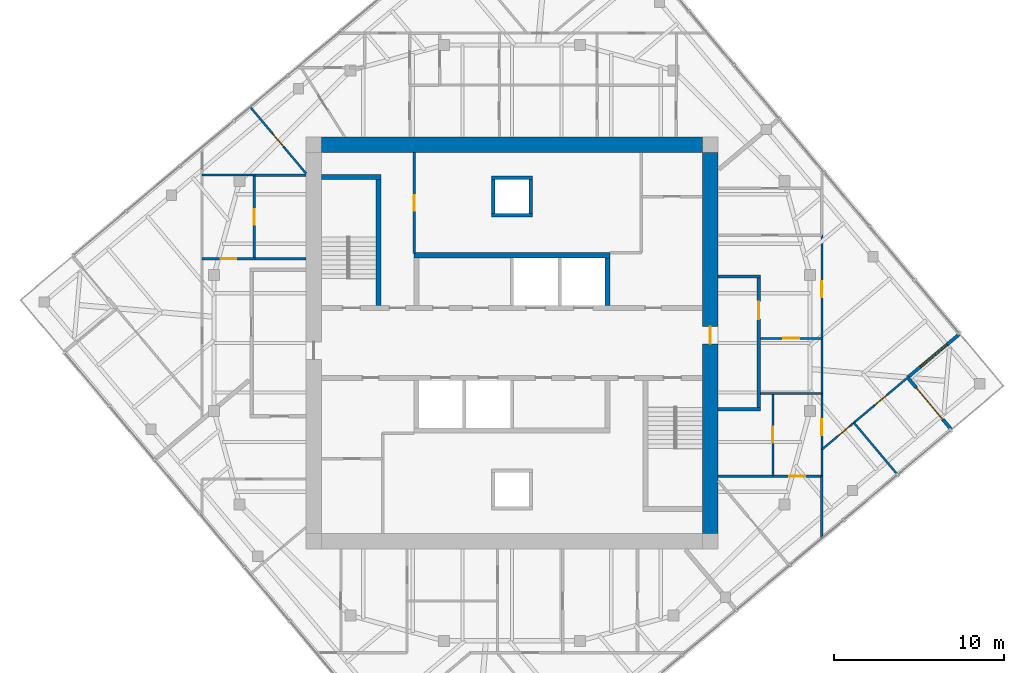
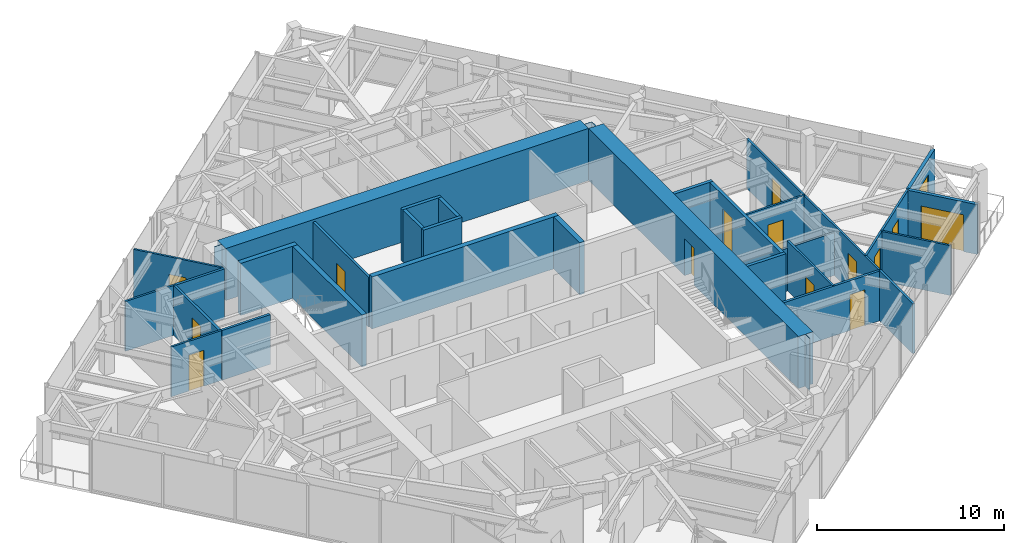
# One storey, part 9 of 12: 30 walls, 14 doors, 1 window, 15 openings.
"""IFC4 building model written with IfcOpenShell, lengths in metres."""

from ifc_helpers import new_model, si_unit, direction, frame, frame_2d, origin, place, context, subcontext, project, spatial, polyline, rectangle, outline, extrude, material, layer, layer_set, type_object, element, fill, save


model = new_model("IFC4")

# Units and contexts
model_context = context("Model", 3, precision=1e-05, world=origin(), true_north=direction((0.0, 1.0)))
body_context = subcontext(model_context, "Body", "Model", "MODEL_VIEW")
ifc_project = project(units=[si_unit("LENGTHUNIT", "METRE"), si_unit("AREAUNIT", "SQUARE_METRE"), si_unit("VOLUMEUNIT", "CUBIC_METRE"), si_unit("PLANEANGLEUNIT", "RADIAN"), si_unit("MASSUNIT", "GRAM", prefix="KILO")], contexts=[model_context])

# Site, building, storey
site_placement = place(None, origin())
site = spatial("IfcSite", under=ifc_project, at=site_placement, CompositionType="ELEMENT")
building_placement = place(site_placement, origin())
building = spatial("IfcBuilding", under=site, at=building_placement, Name="Torsade Residences", CompositionType="ELEMENT")
storey_placement = place(building_placement, frame((0.0, 0.0, 293.0)))
storey = spatial("IfcBuildingStorey", under=building, at=storey_placement, Name="L81", CompositionType="ELEMENT", Elevation=293.0)

# Walls
ifc_material_1 = material(Name="Concrete 80 MPa", Category="concrete")
ifc_layer_1 = layer(ifc_material_1, 0.300048828125)
ifc_layer_set_1 = layer_set([ifc_layer_1], Name="Concrete 80 MPa")
wall_type_1 = type_object("IfcWallType", Name="CORE INTERNAL WALL 300", PredefinedType="SHEAR", material=ifc_layer_set_1)
wall_1_placement = place(storey_placement, frame((34.25, 35.14990234375, 0.0), z_axis=(0.0, 0.0, 1.0), x_axis=(1.0, 0.0, 0.0)))
element("IfcWall", 1, at=wall_1_placement, inside=storey, type_object=wall_type_1, Name="Core wall BN L81", PredefinedType="SHEAR", context=body_context, shape_type="SweptSolid", body=[
    extrude(rectangle(XDim=11.5, YDim=0.300048828125, at=frame_2d((5.75, 0.0))), origin(), (0.0, 0.0, 1.0), 3.39990234375),
])
wall_2_placement = place(storey_placement, frame((45.60009765625, 32.199951171875, 0.0), z_axis=(0.0, 0.0, 1.0), x_axis=(0.0, 1.0, 0.0)))
element("IfcWall", 2, at=wall_2_placement, inside=storey, type_object=wall_type_1, Name="Core wall DN4 L81", PredefinedType="SHEAR", context=body_context, shape_type="SweptSolid", body=[
    extrude(rectangle(XDim=2.800048828125, YDim=0.300048828125, at=frame_2d((1.39990234375, 0.0))), origin(), (0.0, 0.0, 1.0), 3.39990234375),
])
wall_3_placement = place(storey_placement, frame((32.14990234375, 32.199951171875, 0.0), z_axis=(0.0, 0.0, 1.0), x_axis=(0.0, 1.0, 0.0)))
element("IfcWall", 3, at=wall_3_placement, inside=storey, type_object=wall_type_1, Name="Core wall ST1E L81", PredefinedType="SHEAR", context=body_context, shape_type="SweptSolid", body=[
    extrude(rectangle(XDim=7.699951171875, YDim=0.300048828125, at=frame_2d((3.85009765625, 0.0))), origin(), (0.0, 0.0, 1.0), 3.39990234375),
])
wall_4_placement = place(storey_placement, frame((28.800048828125, 39.75, 0.0), z_axis=(0.0, 0.0, 1.0), x_axis=(1.0, 0.0, 0.0)))
element("IfcWall", 4, at=wall_4_placement, inside=storey, type_object=wall_type_1, Name="Core wall ST1N L81", PredefinedType="SHEAR", context=body_context, shape_type="SweptSolid", body=[
    extrude(rectangle(XDim=3.5, YDim=0.300048828125, at=frame_2d((1.75, 0.0))), origin(), (0.0, 0.0, 1.0), 3.39990234375),
])
ifc_material_2 = material(Name="Concrete 80 MPa", Category="concrete")
ifc_layer_2 = layer(ifc_material_2, 0.89990234375)
ifc_layer_set_2 = layer_set([ifc_layer_2], Name="Concrete 80 MPa")
wall_type_2 = type_object("IfcWallType", Name="CORE WALL 900", PredefinedType="SHEAR", material=ifc_layer_set_2)
wall_5_placement = place(storey_placement, frame((28.800048828125, 41.64990234375, 0.0), z_axis=(0.0, 0.0, 1.0), x_axis=(1.0, 0.0, 0.0)))
element("IfcWall", 5, at=wall_5_placement, inside=storey, type_object=wall_type_2, Name="Core wall N L81", PredefinedType="SHEAR", context=body_context, shape_type="SweptSolid", body=[
    extrude(outline(polyline([(0.0, -0.449951171875), (22.39990234375, -0.449951171875), (22.39990234375, -0.02490234375), (22.849853515625, -0.02490234375), (22.849853515625, 0.02490234375), (22.39990234375, 0.02490234375), (22.39990234375, 0.449951171875), (0.0, 0.449951171875), (0.0, 0.02490234375), (-0.449951171875, 0.02490234375), (-0.449951171875, -0.02490234375), (0.0, -0.02490234375), (0.0, -0.449951171875)])), origin(), (0.0, 0.0, 1.0), 3.39990234375),
])

# Wall, opening, door
wall_6_placement = place(storey_placement, frame((51.64990234375, 18.800048828125, 0.0), z_axis=(0.0, 0.0, 1.0), x_axis=(0.0, 1.0, 0.0)))
wall_6 = element("IfcWall", 6, at=wall_6_placement, inside=storey, type_object=wall_type_2, Name="Core wall E L81", PredefinedType="SHEAR", context=body_context, shape_type="SweptSolid", body=[
    extrude(outline(polyline([(0.0, -0.449951171875), (22.39990234375, -0.449951171875), (22.39990234375, -0.02490234375), (22.849853515625, -0.02490234375), (22.849853515625, 0.02490234375), (22.39990234375, 0.02490234375), (22.39990234375, 0.449951171875), (0.0, 0.449951171875), (0.0, 0.02490234375), (-0.449951171875, 0.02490234375), (-0.449951171875, -0.02490234375), (0.0, -0.02490234375), (0.0, -0.449951171875)])), origin(), (0.0, 0.0, 1.0), 3.39990234375),
])
opening_1_placement = place(wall_6_placement, frame((11.139892578125, 0.0, 0.0)))
opening_1 = element("IfcOpeningElement", 7, at=opening_1_placement, cuts=wall_6, Name="Opening D04", PredefinedType="OPENING", context=body_context, shape_type="SweptSolid", body=[
    extrude(rectangle(XDim=1.02001953125, YDim=2.39990234375, at=frame_2d((0.510009765625, 1.199951171875))), frame((0.0, 0.4599609375, 0.0), z_axis=(0.0, -1.0, 0.0), x_axis=(1.0, 0.0, 0.0)), (0.0, 0.0, 1.0), 0.919921875),
])
ifc_material_3 = material(Name="Steel-framed fire door", Category="steel")
door_type_1 = type_object("IfcDoorType", Name="LOBBY SMOKE DOOR 1020x2400", OperationType="NOTDEFINED", PredefinedType="DOOR", material=ifc_material_3)
door_1_placement = place(opening_1_placement, origin())
door_1 = element("IfcDoor", 8, at=door_1_placement, inside=storey, type_object=door_type_1, Name="Lift lobby door E L81", OperationType="SINGLE_SWING_LEFT", OverallHeight=2.39990234375, OverallWidth=1.02001953125, PredefinedType="DOOR", context=body_context, shape_type="SweptSolid", body=[
    extrude(rectangle(XDim=1.02001953125, YDim=2.39990234375, at=frame_2d((0.510009765625, 1.199951171875))), frame((0.0, 0.02490234375, 0.0), z_axis=(0.0, -1.0, 0.0), x_axis=(1.0, 0.0, 0.0)), (0.0, 0.0, 1.0), 0.050048828125),
])
fill(opening_1, door_1)

ifc_material_4 = material(Name="Plasterboard on steel stud", Category="steel")
ifc_layer_3 = layer(ifc_material_4, 0.199951171875)
ifc_layer_set_3 = layer_set([ifc_layer_3], Name="Plasterboard on steel stud")
wall_type_3 = type_object("IfcWallType", Name="CORRIDOR WALL 200", PredefinedType="PARTITIONING", material=ifc_layer_set_3)
wall_7_placement = place(storey_placement, frame((54.5, 26.10009765625, 0.0), z_axis=(0.0, 0.0, 1.0), x_axis=(0.0, 1.0, 0.0)))
wall_7 = element("IfcWall", 9, at=wall_7_placement, inside=storey, type_object=wall_type_3, Name="Corridor wall L81", PredefinedType="PARTITIONING", context=body_context, shape_type="SweptSolid", body=[
    extrude(rectangle(XDim=7.7998046875, YDim=0.199951171875, at=frame_2d((3.89990234375, 0.0))), origin(), (0.0, 0.0, 1.0), 3.25),
])
opening_2_placement = place(wall_7_placement, frame((5.3017578125, 0.0, 0.0)))
opening_2 = element("IfcOpeningElement", 10, at=opening_2_placement, cuts=wall_7, Name="Opening D01", PredefinedType="OPENING", context=body_context, shape_type="SweptSolid", body=[
    extrude(rectangle(XDim=1.02001953125, YDim=2.340087890625, at=frame_2d((0.510009765625, 1.169921875))), frame((0.0, 0.10986328125, 0.0), z_axis=(0.0, -1.0, 0.0), x_axis=(1.0, 0.0, 0.0)), (0.0, 0.0, 1.0), 0.219970703125),
])
ifc_material_5 = material(Name="Solid-core timber fire door", Category="wood")
door_type_2 = type_object("IfcDoorType", Name="APARTMENT ENTRY DOOR 1020x2340", OperationType="NOTDEFINED", PredefinedType="DOOR", material=ifc_material_5)
door_2_placement = place(opening_2_placement, origin())
door_2 = element("IfcDoor", 11, at=door_2_placement, inside=storey, type_object=door_type_2, Name="Door Residential corridor to Kitchen and dining", OperationType="SINGLE_SWING_RIGHT", OverallHeight=2.340087890625, OverallWidth=1.02001953125, PredefinedType="DOOR", context=body_context, shape_type="SweptSolid", body=[
    extrude(rectangle(XDim=1.02001953125, YDim=2.340087890625, at=frame_2d((0.510009765625, 1.169921875))), frame((0.0, 0.02490234375, 0.0), z_axis=(0.0, -1.0, 0.0), x_axis=(1.0, 0.0, 0.0)), (0.0, 0.0, 1.0), 0.050048828125),
])
fill(opening_2, door_2)

# Walls
for number, where, z_axis, x_axis, name in (
    (12, (52.10009765625, 33.89990234375, 0.0), (0.0, 0.0, 1.0), (1.0, 0.0, 0.0), "Corridor wall L81"),
    (13, (52.10009765625, 26.10009765625, 0.0), (0.0, 0.0, 1.0), (1.0, 0.0, 0.0), "Corridor wall L81"),
):
    element("IfcWall", number, at=place(storey_placement, frame(where, z_axis=z_axis, x_axis=x_axis)), inside=storey, type_object=wall_type_3, Name=name, PredefinedType="PARTITIONING", context=body_context, shape_type="SweptSolid", body=[
        extrude(rectangle(XDim=2.5, YDim=0.199951171875, at=frame_2d((1.25, 0.0))), origin(), (0.0, 0.0, 1.0), 3.25),
    ])

# Wall, opening, door
ifc_material_6 = material(Name="Plasterboard on steel stud", Category="steel")
ifc_layer_4 = layer(ifc_material_6, 0.1201171875)
ifc_layer_set_4 = layer_set([ifc_layer_4], Name="Plasterboard on steel stud")
wall_type_4 = type_object("IfcWallType", Name="PARTITION 120", PredefinedType="PARTITIONING", material=ifc_layer_set_4)
wall_8_placement = place(storey_placement, frame((58.199951171875, 30.273681640625, 0.0), z_axis=(0.0, 0.0, 1.0), x_axis=(-1.0, 0.0, 0.0)))
wall_8 = element("IfcWall", 14, at=wall_8_placement, inside=storey, type_object=wall_type_4, Name="Partition L81", PredefinedType="PARTITIONING", context=body_context, shape_type="SweptSolid", body=[
    extrude(rectangle(XDim=3.599853515625, YDim=0.1201171875, at=frame_2d((1.7998046875, 0.0))), origin(), (0.0, 0.0, 1.0), 3.25),
])
opening_3_placement = place(wall_8_placement, frame((1.320068359375, 0.0, 0.0)))
opening_3 = element("IfcOpeningElement", 15, at=opening_3_placement, cuts=wall_8, Name="Opening D05", PredefinedType="OPENING", context=body_context, shape_type="SweptSolid", body=[
    extrude(rectangle(XDim=0.9599609375, YDim=2.10009765625, at=frame_2d((0.47998046875, 1.050048828125))), frame((0.0, 0.070068359375, 0.0), z_axis=(0.0, -1.0, 0.0), x_axis=(1.0, 0.0, 0.0)), (0.0, 0.0, 1.0), 0.14013671875),
])
ifc_material_7 = material(Name="Hollow-core timber door in a steel cavity frame", Category="steel")
door_type_3 = type_object("IfcDoorType", Name="BATHROOM CAVITY SLIDING DOOR 960", OperationType="SLIDING_TO_LEFT", PredefinedType="DOOR", material=ifc_material_7)
door_3_placement = place(opening_3_placement, origin())
door_3 = element("IfcDoor", 16, at=door_3_placement, inside=storey, type_object=door_type_3, Name="Door Kitchen and dining to Ensuite", OperationType="SLIDING_TO_LEFT", OverallHeight=2.10009765625, OverallWidth=0.9599609375, PredefinedType="DOOR", context=body_context, shape_type="SweptSolid", body=[
    extrude(rectangle(XDim=0.9599609375, YDim=2.10009765625, at=frame_2d((0.47998046875, 1.050048828125))), frame((0.0, 0.02490234375, 0.0), z_axis=(0.0, -1.0, 0.0), x_axis=(1.0, 0.0, 0.0)), (0.0, 0.0, 1.0), 0.050048828125),
])
fill(opening_3, door_3)

# Wall, openings, doors
wall_9_placement = place(storey_placement, frame((58.199951171875, 36.33544921875, 0.0), z_axis=(0.0, 0.0, 1.0), x_axis=(0.0, -1.0, 0.0)))
wall_9 = element("IfcWall", 17, at=wall_9_placement, inside=storey, type_object=wall_type_4, Name="Partition L81", PredefinedType="PARTITIONING", context=body_context, shape_type="SweptSolid", body=[
    extrude(rectangle(XDim=14.157470703125, YDim=0.1201171875, at=frame_2d((7.07861328125, 0.0))), origin(), (0.0, 0.0, 1.0), 3.25),
])
opening_4_placement = place(wall_9_placement, frame((2.720947265625, 0.0, 0.0)))
opening_4 = element("IfcOpeningElement", 18, at=opening_4_placement, cuts=wall_9, Name="Opening D02", PredefinedType="OPENING", context=body_context, shape_type="SweptSolid", body=[
    extrude(rectangle(XDim=0.919921875, YDim=2.340087890625, at=frame_2d((0.4599609375, 1.169921875))), frame((0.0, 0.070068359375, 0.0), z_axis=(0.0, -1.0, 0.0), x_axis=(1.0, 0.0, 0.0)), (0.0, 0.0, 1.0), 0.14013671875),
])
opening_5_placement = place(wall_9_placement, frame((10.828369140625, 0.0, 0.0)))
opening_5 = element("IfcOpeningElement", 19, at=opening_5_placement, cuts=wall_9, Name="Opening D02", PredefinedType="OPENING", context=body_context, shape_type="SweptSolid", body=[
    extrude(rectangle(XDim=0.919921875, YDim=2.340087890625, at=frame_2d((0.4599609375, 1.169921875))), frame((0.0, 0.070068359375, 0.0), z_axis=(0.0, -1.0, 0.0), x_axis=(1.0, 0.0, 0.0)), (0.0, 0.0, 1.0), 0.14013671875),
])
ifc_material_8 = material(Name="Hollow-core timber door", Category="wood")
door_type_4 = type_object("IfcDoorType", Name="INTERNAL DOOR 920x2340", OperationType="NOTDEFINED", PredefinedType="DOOR", material=ifc_material_8)
door_4_placement = place(opening_4_placement, origin())
door_4 = element("IfcDoor", 20, at=door_4_placement, inside=storey, type_object=door_type_4, Name="Door Kitchen and dining to Living room", OperationType="SINGLE_SWING_RIGHT", OverallHeight=2.340087890625, OverallWidth=0.919921875, PredefinedType="DOOR", context=body_context, shape_type="SweptSolid", body=[
    extrude(rectangle(XDim=0.919921875, YDim=2.340087890625, at=frame_2d((0.4599609375, 1.169921875))), frame((0.0, 0.02490234375, 0.0), z_axis=(0.0, -1.0, 0.0), x_axis=(1.0, 0.0, 0.0)), (0.0, 0.0, 1.0), 0.050048828125),
])
fill(opening_4, door_4)
door_5_placement = place(opening_5_placement, origin())
door_5 = element("IfcDoor", 21, at=door_5_placement, inside=storey, type_object=door_type_4, Name="Door Living room to Dressing room", OperationType="SINGLE_SWING_RIGHT", OverallHeight=2.340087890625, OverallWidth=0.919921875, PredefinedType="DOOR", context=body_context, shape_type="SweptSolid", body=[
    extrude(rectangle(XDim=0.919921875, YDim=2.340087890625, at=frame_2d((0.4599609375, 1.169921875))), frame((0.0, 0.02490234375, 0.0), z_axis=(0.0, -1.0, 0.0), x_axis=(1.0, 0.0, 0.0)), (0.0, 0.0, 1.0), 0.050048828125),
])
fill(opening_5, door_5)

# Wall, opening, door
wall_10_placement = place(storey_placement, frame((55.321044921875, 27.026611328125, 0.0), z_axis=(0.0, 0.0, 1.0), x_axis=(0.0, -1.0, 0.0)))
wall_10 = element("IfcWall", 22, at=wall_10_placement, inside=storey, type_object=wall_type_4, Name="Partition L81", PredefinedType="PARTITIONING", context=body_context, shape_type="SweptSolid", body=[
    extrude(rectangle(XDim=4.8486328125, YDim=0.1201171875, at=frame_2d((2.42431640625, 0.0))), origin(), (0.0, 0.0, 1.0), 3.25),
])
opening_6_placement = place(wall_10_placement, frame((1.9443359375, 0.0, 0.0)))
opening_6 = element("IfcOpeningElement", 23, at=opening_6_placement, cuts=wall_10, Name="Opening D05", PredefinedType="OPENING", context=body_context, shape_type="SweptSolid", body=[
    extrude(rectangle(XDim=0.9599609375, YDim=2.10009765625, at=frame_2d((0.47998046875, 1.050048828125))), frame((0.0, 0.070068359375, 0.0), z_axis=(0.0, -1.0, 0.0), x_axis=(1.0, 0.0, 0.0)), (0.0, 0.0, 1.0), 0.14013671875),
])
door_6_placement = place(opening_6_placement, origin())
door_6 = element("IfcDoor", 24, at=door_6_placement, inside=storey, type_object=door_type_3, Name="Door Dressing room to Bathroom", OperationType="SLIDING_TO_LEFT", OverallHeight=2.10009765625, OverallWidth=0.9599609375, PredefinedType="DOOR", context=body_context, shape_type="SweptSolid", body=[
    extrude(rectangle(XDim=0.9599609375, YDim=2.10009765625, at=frame_2d((0.47998046875, 1.050048828125))), frame((0.0, 0.02490234375, 0.0), z_axis=(0.0, -1.0, 0.0), x_axis=(1.0, 0.0, 0.0)), (0.0, 0.0, 1.0), 0.050048828125),
])
fill(opening_6, door_6)

# Wall
wall_11_placement = place(storey_placement, frame((54.60009765625, 27.026611328125, 0.0), z_axis=(0.0, 0.0, 1.0), x_axis=(1.0, 0.0, 0.0)))
element("IfcWall", 25, at=wall_11_placement, inside=storey, type_object=wall_type_4, Name="Partition L81", PredefinedType="PARTITIONING", context=body_context, shape_type="SweptSolid", body=[
    extrude(rectangle(XDim=3.599853515625, YDim=0.1201171875, at=frame_2d((1.7998046875, 0.0))), origin(), (0.0, 0.0, 1.0), 2.7958984375),
])

# Wall, openings, doors
wall_12_placement = place(storey_placement, frame((63.215087890625, 27.940673828125, 0.0), z_axis=(0.0, 0.0, 1.0), x_axis=(-0.766040488268, -0.642792322864, 0.0)))
wall_12 = element("IfcWall", 26, at=wall_12_placement, inside=storey, type_object=wall_type_4, Name="Partition L81", PredefinedType="PARTITIONING", context=body_context, shape_type="SweptSolid", body=[
    extrude(rectangle(XDim=6.546875, YDim=0.1201171875, at=frame_2d((3.2734375, 0.0))), origin(), (0.0, 0.0, 1.0), 3.25),
])
opening_7_placement = place(wall_12_placement, frame((1.5625, 0.0, 0.0)))
opening_7 = element("IfcOpeningElement", 27, at=opening_7_placement, cuts=wall_12, Name="Opening D02", PredefinedType="OPENING", context=body_context, shape_type="SweptSolid", body=[
    extrude(rectangle(XDim=0.919921875, YDim=2.340087890625, at=frame_2d((0.4599609375, 1.169921875))), frame((0.0, 0.070068359375, 0.0), z_axis=(0.0, -1.0, 0.0), x_axis=(1.0, 0.0, 0.0)), (0.0, 0.0, 1.0), 0.14013671875),
])
opening_8_placement = place(wall_12_placement, frame((4.380859375, 0.0, 0.0)))
opening_8 = element("IfcOpeningElement", 28, at=opening_8_placement, cuts=wall_12, Name="Opening D02", PredefinedType="OPENING", context=body_context, shape_type="SweptSolid", body=[
    extrude(rectangle(XDim=0.919921875, YDim=2.340087890625, at=frame_2d((0.4599609375, 1.169921875))), frame((0.0, 0.070068359375, 0.0), z_axis=(0.0, -1.0, 0.0), x_axis=(1.0, 0.0, 0.0)), (0.0, 0.0, 1.0), 0.14013671875),
])
door_7_placement = place(opening_7_placement, origin())
door_7 = element("IfcDoor", 29, at=door_7_placement, inside=storey, type_object=door_type_4, Name="Door Living room to Bedroom 2", OperationType="SINGLE_SWING_RIGHT", OverallHeight=2.340087890625, OverallWidth=0.919921875, PredefinedType="DOOR", context=body_context, shape_type="SweptSolid", body=[
    extrude(rectangle(XDim=0.919921875, YDim=2.340087890625, at=frame_2d((0.4599609375, 1.169921875))), frame((0.0, 0.02490234375, 0.0), z_axis=(0.0, -1.0, 0.0), x_axis=(1.0, 0.0, 0.0)), (0.0, 0.0, 1.0), 0.050048828125),
])
fill(opening_7, door_7)
door_8_placement = place(opening_8_placement, origin())
door_8 = element("IfcDoor", 30, at=door_8_placement, inside=storey, type_object=door_type_4, Name="Door Living room to Bedroom 1", OperationType="SINGLE_SWING_LEFT", OverallHeight=2.340087890625, OverallWidth=0.919921875, PredefinedType="DOOR", context=body_context, shape_type="SweptSolid", body=[
    extrude(rectangle(XDim=0.919921875, YDim=2.340087890625, at=frame_2d((0.4599609375, 1.169921875))), frame((0.0, 0.02490234375, 0.0), z_axis=(0.0, -1.0, 0.0), x_axis=(1.0, 0.0, 0.0)), (0.0, 0.0, 1.0), 0.050048828125),
])
fill(opening_8, door_8)

# Wall
wall_13_placement = place(storey_placement, frame((60.085693359375, 25.314697265625, 0.0), z_axis=(0.0, 0.0, 1.0), x_axis=(0.642830555003, -0.766008405669, 0.0)))
element("IfcWall", 31, at=wall_13_placement, inside=storey, type_object=wall_type_4, Name="Partition L81", PredefinedType="PARTITIONING", context=body_context, shape_type="SweptSolid", body=[
    extrude(rectangle(XDim=3.9599609375, YDim=0.1201171875, at=frame_2d((1.97998046875, 0.0))), origin(), (0.0, 0.0, 1.0), 3.25),
])

# Wall, opening, door
wall_14_placement = place(storey_placement, frame((21.800048828125, 34.9453125, 0.0), z_axis=(0.0, 0.0, 1.0), x_axis=(1.0, 0.0, 0.0)))
wall_14 = element("IfcWall", 32, at=wall_14_placement, inside=storey, type_object=wall_type_4, Name="Partition L81", PredefinedType="PARTITIONING", context=body_context, shape_type="SweptSolid", body=[
    extrude(rectangle(XDim=3.099853515625, YDim=0.1201171875, at=frame_2d((1.5498046875, 0.0))), origin(), (0.0, 0.0, 1.0), 3.25),
])
opening_9_placement = place(wall_14_placement, frame((1.090087890625, 0.0, 0.0)))
opening_9 = element("IfcOpeningElement", 33, at=opening_9_placement, cuts=wall_14, Name="Opening D02", PredefinedType="OPENING", context=body_context, shape_type="SweptSolid", body=[
    extrude(rectangle(XDim=0.919921875, YDim=2.340087890625, at=frame_2d((0.4599609375, 1.169921875))), frame((0.0, 0.070068359375, 0.0), z_axis=(0.0, -1.0, 0.0), x_axis=(1.0, 0.0, 0.0)), (0.0, 0.0, 1.0), 0.14013671875),
])
door_9_placement = place(opening_9_placement, origin())
door_9 = element("IfcDoor", 34, at=door_9_placement, inside=storey, type_object=door_type_4, Name="Door Kitchen and dining to Dressing room 3", OperationType="SINGLE_SWING_RIGHT", OverallHeight=2.340087890625, OverallWidth=0.919921875, PredefinedType="DOOR", context=body_context, shape_type="SweptSolid", body=[
    extrude(rectangle(XDim=0.919921875, YDim=2.340087890625, at=frame_2d((0.4599609375, 1.169921875))), frame((0.0, 0.02490234375, 0.0), z_axis=(0.0, -1.0, 0.0), x_axis=(1.0, 0.0, 0.0)), (0.0, 0.0, 1.0), 0.050048828125),
])
fill(opening_9, door_9)

wall_15_placement = place(storey_placement, frame((24.64990234375, 43.828369140625, 0.0), z_axis=(0.0, 0.0, 1.0), x_axis=(0.64277866568, -0.766051947943, 0.0)))
wall_15 = element("IfcWall", 35, at=wall_15_placement, inside=storey, type_object=wall_type_4, Name="Partition L81", PredefinedType="PARTITIONING", context=body_context, shape_type="SweptSolid", body=[
    extrude(rectangle(XDim=5.05615234375, YDim=0.1201171875, at=frame_2d((2.528076171875, 0.0))), origin(), (0.0, 0.0, 1.0), 3.25),
])
opening_10_placement = place(wall_15_placement, frame((2.028076171875, 0.0, 0.0)))
opening_10 = element("IfcOpeningElement", 36, at=opening_10_placement, cuts=wall_15, Name="Opening D05", PredefinedType="OPENING", context=body_context, shape_type="SweptSolid", body=[
    extrude(rectangle(XDim=0.9599609375, YDim=2.10009765625, at=frame_2d((0.47998046875, 1.050048828125))), frame((0.0, 0.070068359375, 0.0), z_axis=(0.0, -1.0, 0.0), x_axis=(1.0, 0.0, 0.0)), (0.0, 0.0, 1.0), 0.14013671875),
])
door_10_placement = place(opening_10_placement, origin())
door_10 = element("IfcDoor", 37, at=door_10_placement, inside=storey, type_object=door_type_3, Name="Door Dressing room 2 to WC 2", OperationType="SLIDING_TO_LEFT", OverallHeight=2.10009765625, OverallWidth=0.9599609375, PredefinedType="DOOR", context=body_context, shape_type="SweptSolid", body=[
    extrude(rectangle(XDim=0.9599609375, YDim=2.10009765625, at=frame_2d((0.47998046875, 1.050048828125))), frame((0.0, 0.02490234375, 0.0), z_axis=(0.0, -1.0, 0.0), x_axis=(1.0, 0.0, 0.0)), (0.0, 0.0, 1.0), 0.050048828125),
])
fill(opening_10, door_10)

# Walls
wall_16_placement = place(storey_placement, frame((24.89990234375, 39.852294921875, 0.0), z_axis=(0.0, 0.0, 1.0), x_axis=(-1.0, 0.0, 0.0)))
element("IfcWall", 38, at=wall_16_placement, inside=storey, type_object=wall_type_4, Name="Partition L81", PredefinedType="PARTITIONING", context=body_context, shape_type="SweptSolid", body=[
    extrude(rectangle(XDim=3.099853515625, YDim=0.1201171875, at=frame_2d((1.5498046875, 0.0))), origin(), (0.0, 0.0, 1.0), 3.25),
])
ifc_material_9 = material(Name="Reinforced blockwork", Category="masonry")
ifc_layer_5 = layer(ifc_material_9, 0.199951171875)
ifc_layer_set_5 = layer_set([ifc_layer_5], Name="Reinforced blockwork")
wall_type_5 = type_object("IfcWallType", Name="RISER SHAFT WALL 200", PredefinedType="SOLIDWALL", material=ifc_layer_set_5)
for number, where, z_axis, x_axis, name in (
    (39, (38.89990234375, 37.60009765625, 0.0), (0.0, 0.0, 1.0), (0.0, 1.0, 0.0), "Core wall RS1a L81"),
    (40, (41.10009765625, 37.60009765625, 0.0), (0.0, 0.0, 1.0), (0.0, 1.0, 0.0), "Core wall RS1b L81"),
):
    element("IfcWall", number, at=place(storey_placement, frame(where, z_axis=z_axis, x_axis=x_axis)), inside=storey, type_object=wall_type_5, Name=name, PredefinedType="SOLIDWALL", context=body_context, shape_type="SweptSolid", body=[
        extrude(rectangle(XDim=2.0, YDim=0.199951171875, at=frame_2d((1.0, 0.0))), origin(), (0.0, 0.0, 1.0), 3.39990234375),
    ])
for number, where, z_axis, x_axis, name in (
    (41, (38.800048828125, 37.5, 0.0), (0.0, 0.0, 1.0), (1.0, 0.0, 0.0), "Core wall RS1c L81"),
    (42, (38.800048828125, 39.699951171875, 0.0), (0.0, 0.0, 1.0), (1.0, 0.0, 0.0), "Core wall RS1d L81"),
):
    element("IfcWall", number, at=place(storey_placement, frame(where, z_axis=z_axis, x_axis=x_axis)), inside=storey, type_object=wall_type_5, Name=name, PredefinedType="SOLIDWALL", context=body_context, shape_type="SweptSolid", body=[
        extrude(rectangle(XDim=2.39990234375, YDim=0.199951171875, at=frame_2d((1.199951171875, 0.0))), origin(), (0.0, 0.0, 1.0), 3.39990234375),
    ])

# Wall, opening, door
ifc_material_10 = material(Name="Reinforced blockwork", Category="masonry")
ifc_layer_6 = layer(ifc_material_10, 0.14990234375)
ifc_layer_set_6 = layer_set([ifc_layer_6], Name="Reinforced blockwork")
wall_type_6 = type_object("IfcWallType", Name="SERVICE ROOM WALL 150", PredefinedType="SOLIDWALL", material=ifc_layer_set_6)
wall_17_placement = place(storey_placement, frame((34.25, 41.199951171875, 0.0), z_axis=(0.0, 0.0, 1.0), x_axis=(0.0, -1.0, 0.0)))
wall_17 = element("IfcWall", 43, at=wall_17_placement, inside=storey, type_object=wall_type_6, Name="Service room wall L81", PredefinedType="SOLIDWALL", context=body_context, shape_type="SweptSolid", body=[
    extrude(rectangle(XDim=5.949951171875, YDim=0.14990234375, at=frame_2d((2.97509765625, 0.0))), origin(), (0.0, 0.0, 1.0), 3.25),
])
opening_11_placement = place(wall_17_placement, frame((2.514892578125, 0.0, 0.0)))
opening_11 = element("IfcOpeningElement", 44, at=opening_11_placement, cuts=wall_17, Name="Opening D06", PredefinedType="OPENING", context=body_context, shape_type="SweptSolid", body=[
    extrude(rectangle(XDim=0.919921875, YDim=2.10009765625, at=frame_2d((0.4599609375, 1.050048828125))), frame((0.0, 0.0849609375, 0.0), z_axis=(0.0, -1.0, 0.0), x_axis=(1.0, 0.0, 0.0)), (0.0, 0.0, 1.0), 0.169921875),
])
ifc_material_11 = material(Name="Steel-framed fire door", Category="steel")
door_type_5 = type_object("IfcDoorType", Name="FIRE DOOR 920", OperationType="NOTDEFINED", PredefinedType="DOOR", material=ifc_material_11)
door_11_placement = place(opening_11_placement, origin())
door_11 = element("IfcDoor", 45, at=door_11_placement, inside=storey, type_object=door_type_5, Name="Door Meter store to Electrical riser room", OperationType="SINGLE_SWING_RIGHT", OverallHeight=2.10009765625, OverallWidth=0.919921875, PredefinedType="DOOR", context=body_context, shape_type="SweptSolid", body=[
    extrude(rectangle(XDim=0.919921875, YDim=2.10009765625, at=frame_2d((0.4599609375, 1.050048828125))), frame((0.0, 0.02490234375, 0.0), z_axis=(0.0, -1.0, 0.0), x_axis=(1.0, 0.0, 0.0)), (0.0, 0.0, 1.0), 0.050048828125),
])
fill(opening_11, door_11)

wall_18_placement = place(storey_placement, frame((58.199951171875, 22.177978515625, 0.0), z_axis=(0.0, 0.0, 1.0), x_axis=(-1.0, 0.0, 0.0)))
wall_18 = element("IfcWall", 46, at=wall_18_placement, inside=storey, type_object=wall_type_6, Name="Service room wall L81", PredefinedType="SOLIDWALL", context=body_context, shape_type="SweptSolid", body=[
    extrude(rectangle(XDim=6.099853515625, YDim=0.14990234375, at=frame_2d((3.0498046875, 0.0))), origin(), (0.0, 0.0, 1.0), 3.25),
])
opening_12_placement = place(wall_18_placement, frame((0.9794921875, 0.0, 0.0)))
opening_12 = element("IfcOpeningElement", 47, at=opening_12_placement, cuts=wall_18, Name="Opening D02", PredefinedType="OPENING", context=body_context, shape_type="SweptSolid", body=[
    extrude(rectangle(XDim=0.919921875, YDim=2.340087890625, at=frame_2d((0.4599609375, 1.169921875))), frame((0.0, 0.0849609375, 0.0), z_axis=(0.0, -1.0, 0.0), x_axis=(1.0, 0.0, 0.0)), (0.0, 0.0, 1.0), 0.169921875),
])
door_12_placement = place(opening_12_placement, origin())
door_12 = element("IfcDoor", 48, at=door_12_placement, inside=storey, type_object=door_type_4, Name="Door Dressing room to Linen store", OperationType="SINGLE_SWING_LEFT", OverallHeight=2.340087890625, OverallWidth=0.919921875, PredefinedType="DOOR", context=body_context, shape_type="SweptSolid", body=[
    extrude(rectangle(XDim=0.919921875, YDim=2.340087890625, at=frame_2d((0.4599609375, 1.169921875))), frame((0.0, 0.02490234375, 0.0), z_axis=(0.0, -1.0, 0.0), x_axis=(1.0, 0.0, 0.0)), (0.0, 0.0, 1.0), 0.050048828125),
])
fill(opening_12, door_12)

# Walls
wall_19_placement = place(storey_placement, frame((58.199951171875, 22.177978515625, 0.0), z_axis=(0.0, 0.0, 1.0), x_axis=(0.0, -1.0, 0.0)))
element("IfcWall", 49, at=wall_19_placement, inside=storey, type_object=wall_type_6, Name="Service room wall L81", PredefinedType="SOLIDWALL", context=body_context, shape_type="SweptSolid", body=[
    extrude(rectangle(XDim=3.614990234375, YDim=0.14990234375, at=frame_2d((1.8076171875, 0.0))), origin(), (0.0, 0.0, 1.0), 3.25),
])
for number, where, z_axis, x_axis, name in (
    (50, (24.89990234375, 34.9453125, 0.0), (0.0, 0.0, 1.0), (1.0, 0.0, 0.0), "Service room wall L81"),
    (51, (27.89990234375, 39.852294921875, 0.0), (0.0, 0.0, 1.0), (-1.0, 0.0, 0.0), "Service room wall L81"),
):
    element("IfcWall", number, at=place(storey_placement, frame(where, z_axis=z_axis, x_axis=x_axis)), inside=storey, type_object=wall_type_6, Name=name, PredefinedType="SOLIDWALL", context=body_context, shape_type="SweptSolid", body=[
        extrude(rectangle(XDim=3.0, YDim=0.14990234375, at=frame_2d((1.5, 0.0))), origin(), (0.0, 0.0, 1.0), 3.25),
    ])

# Wall, opening, door
wall_20_placement = place(storey_placement, frame((24.85009765625, 34.9453125, 0.0), z_axis=(0.0, 0.0, 1.0), x_axis=(0.0, 1.0, 0.0)))
wall_20 = element("IfcWall", 52, at=wall_20_placement, inside=storey, type_object=wall_type_6, Name="Service room wall L81", PredefinedType="SOLIDWALL", context=body_context, shape_type="SweptSolid", body=[
    extrude(rectangle(XDim=4.906982421875, YDim=0.14990234375, at=frame_2d((2.45361328125, 0.0))), origin(), (0.0, 0.0, 1.0), 3.25),
])
opening_13_placement = place(wall_20_placement, frame((1.99365234375, 0.0, 0.0)))
opening_13 = element("IfcOpeningElement", 53, at=opening_13_placement, cuts=wall_20, Name="Opening D02", PredefinedType="OPENING", context=body_context, shape_type="SweptSolid", body=[
    extrude(rectangle(XDim=0.919921875, YDim=2.340087890625, at=frame_2d((0.4599609375, 1.169921875))), frame((0.0, 0.0849609375, 0.0), z_axis=(0.0, -1.0, 0.0), x_axis=(1.0, 0.0, 0.0)), (0.0, 0.0, 1.0), 0.169921875),
])
door_13_placement = place(opening_13_placement, origin())
door_13 = element("IfcDoor", 54, at=door_13_placement, inside=storey, type_object=door_type_4, Name="Door Dressing room 3 to Linen store 2", OperationType="SINGLE_SWING_LEFT", OverallHeight=2.340087890625, OverallWidth=0.919921875, PredefinedType="DOOR", context=body_context, shape_type="SweptSolid", body=[
    extrude(rectangle(XDim=0.919921875, YDim=2.340087890625, at=frame_2d((0.4599609375, 1.169921875))), frame((0.0, 0.02490234375, 0.0), z_axis=(0.0, -1.0, 0.0), x_axis=(1.0, 0.0, 0.0)), (0.0, 0.0, 1.0), 0.050048828125),
])
fill(opening_13, door_13)

ifc_material_12 = material(Name="Stone-faced precast concrete 40 MPa panel", Category="masonry")
ifc_layer_7 = layer(ifc_material_12, 0.199951171875)
ifc_layer_set_7 = layer_set([ifc_layer_7], Name="Stone-faced precast concrete 40 MPa panel")
wall_type_7 = type_object("IfcWallType", Name="TERRACE WALL 200", PredefinedType="SOLIDWALL", material=ifc_layer_set_7)
wall_21_placement = place(storey_placement, frame((65.81689453125, 24.902099609375, 0.0), z_axis=(0.0, 0.0, 1.0), x_axis=(-0.642768287094, 0.766060656284, 0.0)))
wall_21 = element("IfcWall", 55, at=wall_21_placement, inside=storey, type_object=wall_type_7, Name="Terrace wall L81 2", PredefinedType="SOLIDWALL", context=body_context, shape_type="SweptSolid", body=[
    extrude(rectangle(XDim=4.0, YDim=0.199951171875, at=frame_2d((2.0, 0.0))), origin(), (0.0, 0.0, 1.0), 3.25),
])
opening_14_placement = place(wall_21_placement, frame((0.800048828125, 0.0, 0.0)))
opening_14 = element("IfcOpeningElement", 56, at=opening_14_placement, cuts=wall_21, Name="Opening D10", PredefinedType="OPENING", context=body_context, shape_type="SweptSolid", body=[
    extrude(rectangle(XDim=2.39990234375, YDim=2.39990234375, at=frame_2d((1.199951171875, 1.199951171875))), frame((0.0, 0.10986328125, 0.0), z_axis=(0.0, -1.0, 0.0), x_axis=(1.0, 0.0, 0.0)), (0.0, 0.0, 1.0), 0.219970703125),
])
ifc_material_13 = material(Name="Aluminium-framed glass door", Category="aluminium")
door_type_6 = type_object("IfcDoorType", Name="TERRACE SLIDING DOOR 2400", OperationType="SLIDING_TO_LEFT", PredefinedType="DOOR", material=ifc_material_13)
door_14_placement = place(opening_14_placement, origin())
door_14 = element("IfcDoor", 57, at=door_14_placement, inside=storey, type_object=door_type_6, Name="Terrace door L81 2", OperationType="SLIDING_TO_LEFT", OverallHeight=2.39990234375, OverallWidth=2.39990234375, PredefinedType="DOOR", context=body_context, shape_type="SweptSolid", body=[
    extrude(rectangle(XDim=2.39990234375, YDim=2.39990234375, at=frame_2d((1.199951171875, 1.199951171875))), frame((0.0, 0.02490234375, 0.0), z_axis=(0.0, -1.0, 0.0), x_axis=(1.0, 0.0, 0.0)), (0.0, 0.0, 1.0), 0.050048828125),
])
fill(opening_14, door_14)

# Wall, opening, window
wall_22_placement = place(storey_placement, frame((63.245849609375, 27.96630859375, 0.0), z_axis=(0.0, 0.0, 1.0), x_axis=(0.766035437498, 0.642798342015, 0.0)))
wall_22 = element("IfcWall", 58, at=wall_22_placement, inside=storey, type_object=wall_type_7, Name="Terrace wall L81 3", PredefinedType="SOLIDWALL", context=body_context, shape_type="SweptSolid", body=[
    extrude(rectangle(XDim=3.999755859375, YDim=0.199951171875, at=frame_2d((2.0, 0.0))), origin(), (0.0, 0.0, 1.0), 3.25),
])
opening_15_placement = place(wall_22_placement, frame((1.0, 0.0, 0.449951171875)))
opening_15 = element("IfcOpeningElement", 59, at=opening_15_placement, cuts=wall_22, Name="Opening W1B", PredefinedType="OPENING", context=body_context, shape_type="SweptSolid", body=[
    extrude(rectangle(XDim=2.0, YDim=1.800048828125, at=frame_2d((1.0, 0.89990234375))), frame((0.0, 0.10986328125, 0.0), z_axis=(0.0, -1.0, 0.0), x_axis=(1.0, 0.0, 0.0)), (0.0, 0.0, 1.0), 0.219970703125),
])
ifc_material_14 = material(Name="Aluminium-framed glass window", Category="aluminium")
window_type = type_object("IfcWindowType", Name="TERRACE WINDOW 2000x1800", PartitioningType="SINGLE_PANEL", PredefinedType="WINDOW", material=ifc_material_14)
window_placement = place(opening_15_placement, origin())
window = element("IfcWindow", 60, at=window_placement, inside=storey, type_object=window_type, Name="Terrace window L81 3", OverallHeight=1.800048828125, OverallWidth=2.0, PartitioningType="SINGLE_PANEL", PredefinedType="WINDOW", context=body_context, shape_type="SweptSolid", body=[
    extrude(rectangle(XDim=2.0, YDim=1.800048828125, at=frame_2d((1.0, 0.89990234375))), frame((0.0, 0.030029296875, 0.0), z_axis=(0.0, -1.0, 0.0), x_axis=(1.0, 0.0, 0.0)), (0.0, 0.0, 1.0), 0.06005859375),
])
fill(opening_15, window)

save(model, "model.ifc")
